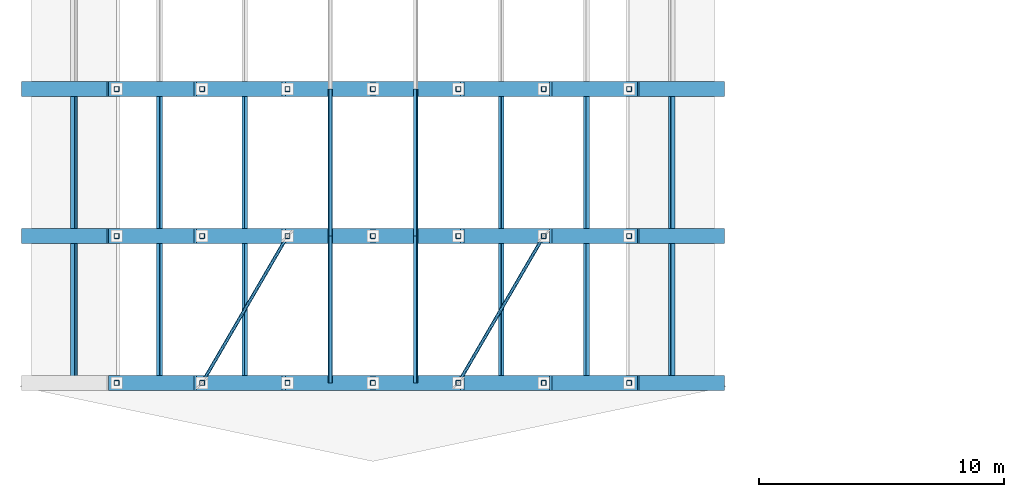
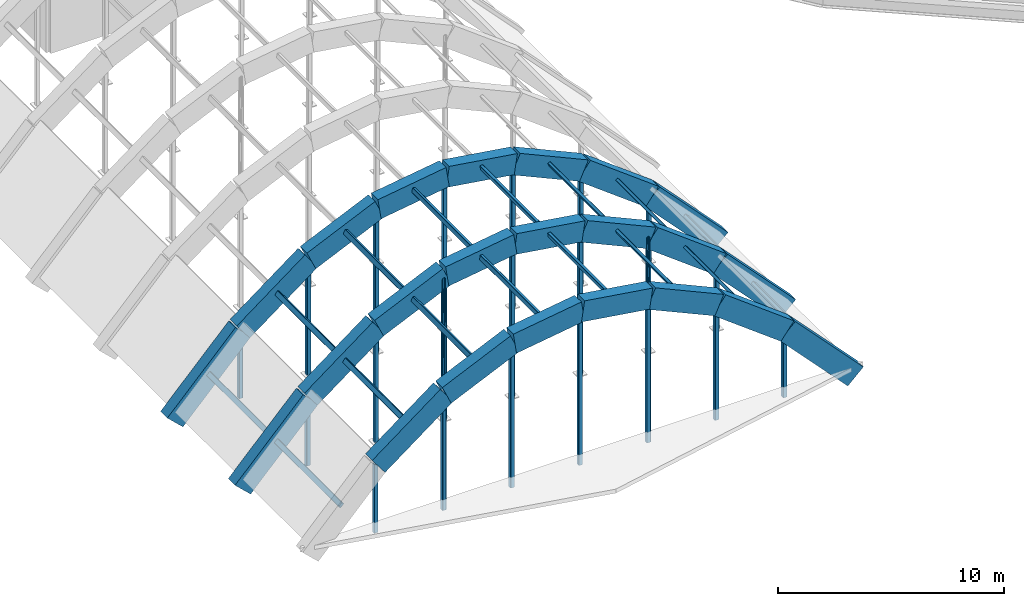
# One storey, part 2 of 88: 39 members, 23 beams.
"""IFC4 building model written with IfcOpenShell, lengths in metres."""

from ifc_helpers import new_model, si_unit, direction, frame, origin, origin_2d, place, context, subcontext, project, spatial, rectangle, hollow_rectangle, hollow_circle, extrude, material, material_profile, profile_set, type_object, element, save


model = new_model("IFC4")

# Units and contexts
model_context = context("Model", 3, precision=1e-05, world=origin(), true_north=direction((0.0, 1.0)))
body_context = subcontext(model_context, "Body", "Model", "MODEL_VIEW")
ifc_project = project(units=[si_unit("LENGTHUNIT", "METRE"), si_unit("AREAUNIT", "SQUARE_METRE"), si_unit("VOLUMEUNIT", "CUBIC_METRE"), si_unit("PLANEANGLEUNIT", "RADIAN"), si_unit("MASSUNIT", "GRAM", prefix="KILO")], contexts=[model_context])

# Site, building, storey
site_placement = place(None, origin())
site = spatial("IfcSite", under=ifc_project, at=site_placement, CompositionType="ELEMENT")
building_placement = place(site_placement, origin())
building = spatial("IfcBuilding", under=site, at=building_placement, Name="Vespera Passage Community Centre", CompositionType="ELEMENT")
storey_placement = place(building_placement, frame((0.0, 0.0, 16.5)))
storey = spatial("IfcBuildingStorey", under=building, at=storey_placement, Name="L04", CompositionType="ELEMENT", Elevation=16.5)

# Beams
ifc_material_1 = material(Name="Concrete f'c 45 MPa", Category="concrete")
ifc_material_profile_1 = material_profile(ifc_material_1, rectangle(XDim=0.60009765625, YDim=1.10009765625, at=origin_2d()), Name="RC600X1100")
ifc_profile_set_1 = profile_set([ifc_material_profile_1], Name="Concrete f'c 45 MPa")
beam_type = type_object("IfcBeamType", Name="BM-AR-600X1100", PredefinedType="USERDEFINED", material=ifc_profile_set_1)
beam_1_placement = place(storey_placement, frame((7.53759765625, 7.0, 3.125), z_axis=(0.798951709852, 0.0, 0.601395182325), x_axis=(0.0, 1.0, 0.0)))
element("IfcBeam", 1, at=beam_1_placement, inside=storey, type_object=beam_type, Name="Main Hall Barrel Vault Arch Rib AR1 Seg 2", ObjectType="ARCH RIB", PredefinedType="USERDEFINED", context=body_context, shape_type="SweptSolid", body=[
    extrude(rectangle(XDim=0.60009765625, YDim=1.10009765625, at=origin_2d()), origin(), (0.0, 0.0, 1.0), 4.36474609375),
])
beam_2_placement = place(storey_placement, frame((11.02490234375, 7.0, 5.75), z_axis=(0.911377547456, 0.0, 0.411571337672), x_axis=(0.0, 1.0, 0.0)))
element("IfcBeam", 2, at=beam_2_placement, inside=storey, type_object=beam_type, Name="Main Hall Barrel Vault Arch Rib AR1 Seg 3", ObjectType="ARCH RIB", PredefinedType="USERDEFINED", context=body_context, shape_type="SweptSolid", body=[
    extrude(rectangle(XDim=0.60009765625, YDim=1.10009765625, at=origin_2d()), origin(), (0.0, 0.0, 1.0), 3.82666015625),
])
for number, where, z_axis, x_axis, name in (
    (3, (14.512451171875, 7.0, 7.324951171875), (0.988852416544, 0.0, 0.148898953307), (0.0, 1.0, 0.0), "Main Hall Barrel Vault Arch Rib AR1 Seg 4"),
    (4, (18.0, 7.0, 7.85009765625), (0.988852416544, 0.0, -0.148898953307), (0.0, 1.0, 0.0), "Main Hall Barrel Vault Arch Rib AR1 Seg 5"),
):
    element("IfcBeam", number, at=place(storey_placement, frame(where, z_axis=z_axis, x_axis=x_axis)), inside=storey, type_object=beam_type, Name=name, ObjectType="ARCH RIB", PredefinedType="USERDEFINED", context=body_context, shape_type="SweptSolid", body=[
        extrude(rectangle(XDim=0.60009765625, YDim=1.10009765625, at=origin_2d()), origin(), (0.0, 0.0, 1.0), 3.52685546875),
    ])
beam_3_placement = place(storey_placement, frame((21.487548828125, 7.0, 7.324951171875), z_axis=(0.911377547456, 0.0, -0.411571337672), x_axis=(0.0, 1.0, 0.0)))
element("IfcBeam", 5, at=beam_3_placement, inside=storey, type_object=beam_type, Name="Main Hall Barrel Vault Arch Rib AR1 Seg 6", ObjectType="ARCH RIB", PredefinedType="USERDEFINED", context=body_context, shape_type="SweptSolid", body=[
    extrude(rectangle(XDim=0.60009765625, YDim=1.10009765625, at=origin_2d()), origin(), (0.0, 0.0, 1.0), 3.82666015625),
])
beam_4_placement = place(storey_placement, frame((24.97509765625, 7.0, 5.75), z_axis=(0.798951709852, 0.0, -0.601395182325), x_axis=(0.0, 1.0, 0.0)))
element("IfcBeam", 6, at=beam_4_placement, inside=storey, type_object=beam_type, Name="Main Hall Barrel Vault Arch Rib AR1 Seg 7", ObjectType="ARCH RIB", PredefinedType="USERDEFINED", context=body_context, shape_type="SweptSolid", body=[
    extrude(rectangle(XDim=0.60009765625, YDim=1.10009765625, at=origin_2d()), origin(), (0.0, 0.0, 1.0), 4.36474609375),
])
for number, where, z_axis, x_axis, name in (
    (7, (28.46240234375, 7.0, 3.125), (0.688360568967, 0.0, -0.725368683561), (0.0, 1.0, 0.0), "Main Hall Barrel Vault Arch Rib AR1 Seg 8"),
    (8, (4.050048828125, 13.0, -0.550048828125), (0.688360568967, 0.0, 0.725368683561), (0.0, 1.0, 0.0), "Main Hall Barrel Vault Arch Rib AR2 Seg 1"),
):
    element("IfcBeam", number, at=place(storey_placement, frame(where, z_axis=z_axis, x_axis=x_axis)), inside=storey, type_object=beam_type, Name=name, ObjectType="ARCH RIB", PredefinedType="USERDEFINED", context=body_context, shape_type="SweptSolid", body=[
        extrude(rectangle(XDim=0.60009765625, YDim=1.10009765625, at=origin_2d()), origin(), (0.0, 0.0, 1.0), 5.06640625),
    ])
beam_5_placement = place(storey_placement, frame((7.53759765625, 13.0, 3.125), z_axis=(0.798951709852, 0.0, 0.601395182325), x_axis=(0.0, 1.0, 0.0)))
element("IfcBeam", 9, at=beam_5_placement, inside=storey, type_object=beam_type, Name="Main Hall Barrel Vault Arch Rib AR2 Seg 2", ObjectType="ARCH RIB", PredefinedType="USERDEFINED", context=body_context, shape_type="SweptSolid", body=[
    extrude(rectangle(XDim=0.60009765625, YDim=1.10009765625, at=origin_2d()), origin(), (0.0, 0.0, 1.0), 4.36474609375),
])
beam_6_placement = place(storey_placement, frame((11.02490234375, 13.0, 5.75), z_axis=(0.911377547456, 0.0, 0.411571337672), x_axis=(0.0, 1.0, 0.0)))
element("IfcBeam", 10, at=beam_6_placement, inside=storey, type_object=beam_type, Name="Main Hall Barrel Vault Arch Rib AR2 Seg 3", ObjectType="ARCH RIB", PredefinedType="USERDEFINED", context=body_context, shape_type="SweptSolid", body=[
    extrude(rectangle(XDim=0.60009765625, YDim=1.10009765625, at=origin_2d()), origin(), (0.0, 0.0, 1.0), 3.82666015625),
])
for number, where, z_axis, x_axis, name in (
    (11, (14.512451171875, 13.0, 7.324951171875), (0.988852416544, 0.0, 0.148898953307), (0.0, 1.0, 0.0), "Main Hall Barrel Vault Arch Rib AR2 Seg 4"),
    (12, (18.0, 13.0, 7.85009765625), (0.988852416544, 0.0, -0.148898953307), (0.0, 1.0, 0.0), "Main Hall Barrel Vault Arch Rib AR2 Seg 5"),
):
    element("IfcBeam", number, at=place(storey_placement, frame(where, z_axis=z_axis, x_axis=x_axis)), inside=storey, type_object=beam_type, Name=name, ObjectType="ARCH RIB", PredefinedType="USERDEFINED", context=body_context, shape_type="SweptSolid", body=[
        extrude(rectangle(XDim=0.60009765625, YDim=1.10009765625, at=origin_2d()), origin(), (0.0, 0.0, 1.0), 3.52685546875),
    ])
beam_7_placement = place(storey_placement, frame((21.487548828125, 13.0, 7.324951171875), z_axis=(0.911377547456, 0.0, -0.411571337672), x_axis=(0.0, 1.0, 0.0)))
element("IfcBeam", 13, at=beam_7_placement, inside=storey, type_object=beam_type, Name="Main Hall Barrel Vault Arch Rib AR2 Seg 6", ObjectType="ARCH RIB", PredefinedType="USERDEFINED", context=body_context, shape_type="SweptSolid", body=[
    extrude(rectangle(XDim=0.60009765625, YDim=1.10009765625, at=origin_2d()), origin(), (0.0, 0.0, 1.0), 3.82666015625),
])
beam_8_placement = place(storey_placement, frame((24.97509765625, 13.0, 5.75), z_axis=(0.798951709852, 0.0, -0.601395182325), x_axis=(0.0, 1.0, 0.0)))
element("IfcBeam", 14, at=beam_8_placement, inside=storey, type_object=beam_type, Name="Main Hall Barrel Vault Arch Rib AR2 Seg 7", ObjectType="ARCH RIB", PredefinedType="USERDEFINED", context=body_context, shape_type="SweptSolid", body=[
    extrude(rectangle(XDim=0.60009765625, YDim=1.10009765625, at=origin_2d()), origin(), (0.0, 0.0, 1.0), 4.36474609375),
])
for number, where, z_axis, x_axis, name in (
    (15, (28.46240234375, 13.0, 3.125), (0.688360568967, 0.0, -0.725368683561), (0.0, 1.0, 0.0), "Main Hall Barrel Vault Arch Rib AR2 Seg 8"),
    (16, (4.050048828125, 19.0, -0.550048828125), (0.688360568967, 0.0, 0.725368683561), (0.0, 1.0, 0.0), "Main Hall Barrel Vault Arch Rib AR3 Seg 1"),
):
    element("IfcBeam", number, at=place(storey_placement, frame(where, z_axis=z_axis, x_axis=x_axis)), inside=storey, type_object=beam_type, Name=name, ObjectType="ARCH RIB", PredefinedType="USERDEFINED", context=body_context, shape_type="SweptSolid", body=[
        extrude(rectangle(XDim=0.60009765625, YDim=1.10009765625, at=origin_2d()), origin(), (0.0, 0.0, 1.0), 5.06640625),
    ])
beam_9_placement = place(storey_placement, frame((7.53759765625, 19.0, 3.125), z_axis=(0.798951709852, 0.0, 0.601395182325), x_axis=(0.0, 1.0, 0.0)))
element("IfcBeam", 17, at=beam_9_placement, inside=storey, type_object=beam_type, Name="Main Hall Barrel Vault Arch Rib AR3 Seg 2", ObjectType="ARCH RIB", PredefinedType="USERDEFINED", context=body_context, shape_type="SweptSolid", body=[
    extrude(rectangle(XDim=0.60009765625, YDim=1.10009765625, at=origin_2d()), origin(), (0.0, 0.0, 1.0), 4.36474609375),
])
beam_10_placement = place(storey_placement, frame((11.02490234375, 19.0, 5.75), z_axis=(0.911377547456, 0.0, 0.411571337672), x_axis=(0.0, 1.0, 0.0)))
element("IfcBeam", 18, at=beam_10_placement, inside=storey, type_object=beam_type, Name="Main Hall Barrel Vault Arch Rib AR3 Seg 3", ObjectType="ARCH RIB", PredefinedType="USERDEFINED", context=body_context, shape_type="SweptSolid", body=[
    extrude(rectangle(XDim=0.60009765625, YDim=1.10009765625, at=origin_2d()), origin(), (0.0, 0.0, 1.0), 3.82666015625),
])
for number, where, z_axis, x_axis, name in (
    (19, (14.512451171875, 19.0, 7.324951171875), (0.988852416544, 0.0, 0.148898953307), (0.0, 1.0, 0.0), "Main Hall Barrel Vault Arch Rib AR3 Seg 4"),
    (20, (18.0, 19.0, 7.85009765625), (0.988852416544, 0.0, -0.148898953307), (0.0, 1.0, 0.0), "Main Hall Barrel Vault Arch Rib AR3 Seg 5"),
):
    element("IfcBeam", number, at=place(storey_placement, frame(where, z_axis=z_axis, x_axis=x_axis)), inside=storey, type_object=beam_type, Name=name, ObjectType="ARCH RIB", PredefinedType="USERDEFINED", context=body_context, shape_type="SweptSolid", body=[
        extrude(rectangle(XDim=0.60009765625, YDim=1.10009765625, at=origin_2d()), origin(), (0.0, 0.0, 1.0), 3.52685546875),
    ])
beam_11_placement = place(storey_placement, frame((21.487548828125, 19.0, 7.324951171875), z_axis=(0.911377547456, 0.0, -0.411571337672), x_axis=(0.0, 1.0, 0.0)))
element("IfcBeam", 21, at=beam_11_placement, inside=storey, type_object=beam_type, Name="Main Hall Barrel Vault Arch Rib AR3 Seg 6", ObjectType="ARCH RIB", PredefinedType="USERDEFINED", context=body_context, shape_type="SweptSolid", body=[
    extrude(rectangle(XDim=0.60009765625, YDim=1.10009765625, at=origin_2d()), origin(), (0.0, 0.0, 1.0), 3.82666015625),
])
beam_12_placement = place(storey_placement, frame((24.97509765625, 19.0, 5.75), z_axis=(0.798951709852, 0.0, -0.601395182325), x_axis=(0.0, 1.0, 0.0)))
element("IfcBeam", 22, at=beam_12_placement, inside=storey, type_object=beam_type, Name="Main Hall Barrel Vault Arch Rib AR3 Seg 7", ObjectType="ARCH RIB", PredefinedType="USERDEFINED", context=body_context, shape_type="SweptSolid", body=[
    extrude(rectangle(XDim=0.60009765625, YDim=1.10009765625, at=origin_2d()), origin(), (0.0, 0.0, 1.0), 4.36474609375),
])
beam_13_placement = place(storey_placement, frame((28.46240234375, 19.0, 3.125), z_axis=(0.688360568967, 0.0, -0.725368683561), x_axis=(0.0, 1.0, 0.0)))
element("IfcBeam", 23, at=beam_13_placement, inside=storey, type_object=beam_type, Name="Main Hall Barrel Vault Arch Rib AR3 Seg 8", ObjectType="ARCH RIB", PredefinedType="USERDEFINED", context=body_context, shape_type="SweptSolid", body=[
    extrude(rectangle(XDim=0.60009765625, YDim=1.10009765625, at=origin_2d()), origin(), (0.0, 0.0, 1.0), 5.06640625),
])

# Members
ifc_material_2 = material(Name="Steel ASTM A500 Grade C", Category="steel")
ifc_material_profile_2 = material_profile(ifc_material_2, hollow_rectangle(XDim=0.15234375, YDim=0.25390625, WallThickness=0.01171875, InnerFilletRadius=0.01171875, OuterFilletRadius=0.023681640625, at=origin_2d()), Name="HSS254X152X12.7")
ifc_profile_set_2 = profile_set([ifc_material_profile_2], Name="Steel ASTM A500 Grade C")
member_type_1 = type_object("IfcMemberType", Name="MB-PR-HSS254X152", PredefinedType="PURLIN", material=ifc_profile_set_2)
for number, where, z_axis, x_axis, name in (
    (24, (5.793701171875, 7.0, 1.46044921875), (0.0, 1.0, 0.0), (-0.688354575694, 0.0, 0.725374371012), "Main Hall Vault Purlin B1.1"),
    (25, (9.28125, 7.0, 4.610595703125), (0.0, 1.0, 0.0), (-0.798971502388, 0.0, 0.6013688871), "Main Hall Vault Purlin B1.2"),
    (26, (12.768798828125, 7.0, 6.71044921875), (0.0, 1.0, 0.0), (-0.911367361763, 0.0, 0.411593891978), "Main Hall Vault Purlin B1.3"),
    (27, (16.25634765625, 7.0, 7.760498046875), (0.0, 1.0, 0.0), (-0.988857937462, 0.0, 0.148862283734), "Main Hall Vault Purlin B1.4"),
    (28, (19.74365234375, 7.0, 7.760498046875), (0.0, 1.0, 0.0), (-0.988857937462, 0.0, -0.148862283734), "Main Hall Vault Purlin B1.5"),
    (29, (23.231201171875, 7.0, 6.71044921875), (0.0, 1.0, 0.0), (-0.911367361763, 0.0, -0.411593891978), "Main Hall Vault Purlin B1.6"),
    (30, (26.71875, 7.0, 4.610595703125), (0.0, 1.0, 0.0), (-0.798971502388, 0.0, -0.6013688871), "Main Hall Vault Purlin B1.7"),
    (31, (30.206298828125, 7.0, 1.46044921875), (0.0, 1.0, 0.0), (-0.688354575694, 0.0, -0.725374371012), "Main Hall Vault Purlin B1.8"),
    (32, (5.793701171875, 13.0, 1.46044921875), (0.0, 1.0, 0.0), (-0.688354575694, 0.0, 0.725374371012), "Main Hall Vault Purlin B2.1"),
    (33, (9.28125, 13.0, 4.610595703125), (0.0, 1.0, 0.0), (-0.798971502388, 0.0, 0.6013688871), "Main Hall Vault Purlin B2.2"),
    (34, (12.768798828125, 13.0, 6.71044921875), (0.0, 1.0, 0.0), (-0.911367361763, 0.0, 0.411593891978), "Main Hall Vault Purlin B2.3"),
    (35, (16.25634765625, 13.0, 7.760498046875), (0.0, 1.0, 0.0), (-0.988857937462, 0.0, 0.148862283734), "Main Hall Vault Purlin B2.4"),
    (36, (19.74365234375, 13.0, 7.760498046875), (0.0, 1.0, 0.0), (-0.988857937462, 0.0, -0.148862283734), "Main Hall Vault Purlin B2.5"),
    (37, (23.231201171875, 13.0, 6.71044921875), (0.0, 1.0, 0.0), (-0.911367361763, 0.0, -0.411593891978), "Main Hall Vault Purlin B2.6"),
    (38, (26.71875, 13.0, 4.610595703125), (0.0, 1.0, 0.0), (-0.798971502388, 0.0, -0.6013688871), "Main Hall Vault Purlin B2.7"),
    (39, (30.206298828125, 13.0, 1.46044921875), (0.0, 1.0, 0.0), (-0.688354575694, 0.0, -0.725374371012), "Main Hall Vault Purlin B2.8"),
):
    element("IfcMember", number, at=place(storey_placement, frame(where, z_axis=z_axis, x_axis=x_axis)), inside=storey, type_object=member_type_1, Name=name, PredefinedType="PURLIN", context=body_context, shape_type="SweptSolid", body=[
        extrude(hollow_rectangle(XDim=0.15234375, YDim=0.25390625, WallThickness=0.01171875, InnerFilletRadius=0.01171875, OuterFilletRadius=0.023681640625, at=origin_2d()), origin(), (0.0, 0.0, 1.0), 6.0),
    ])
ifc_material_3 = material(Name="Steel ASTM A500 Grade C", Category="steel")
ifc_material_profile_3 = material_profile(ifc_material_3, hollow_rectangle(XDim=0.203125, YDim=0.203125, WallThickness=0.01171875, InnerFilletRadius=0.01171875, OuterFilletRadius=0.023681640625, at=origin_2d()), Name="HSS203X203X12.7")
ifc_profile_set_3 = profile_set([ifc_material_profile_3], Name="Steel ASTM A500 Grade C")
member_type_2 = type_object("IfcMemberType", Name="SS-203", PredefinedType="STRUT", material=ifc_profile_set_3)
member_1_placement = place(storey_placement, frame((7.53759765625, 7.0, -0.58544921875), z_axis=(0.0, 0.0, 1.0), x_axis=(1.0, 0.0, 0.0)))
element("IfcMember", 40, at=member_1_placement, inside=storey, type_object=member_type_2, Name="Main Hall Arch Rib AR1 Bowstring Post 1", PredefinedType="STRUT", context=body_context, shape_type="SweptSolid", body=[
    extrude(hollow_rectangle(XDim=0.203125, YDim=0.203125, WallThickness=0.01171875, InnerFilletRadius=0.01171875, OuterFilletRadius=0.023681640625, at=origin_2d()), origin(), (0.0, 0.0, 1.0), 3.71044921875),
])
member_2_placement = place(storey_placement, frame((11.02490234375, 7.0, -0.58544921875), z_axis=(0.0, 0.0, 1.0), x_axis=(1.0, 0.0, 0.0)))
element("IfcMember", 41, at=member_2_placement, inside=storey, type_object=member_type_2, Name="Main Hall Arch Rib AR1 Bowstring Post 2", PredefinedType="STRUT", context=body_context, shape_type="SweptSolid", body=[
    extrude(hollow_rectangle(XDim=0.203125, YDim=0.203125, WallThickness=0.01171875, InnerFilletRadius=0.01171875, OuterFilletRadius=0.023681640625, at=origin_2d()), origin(), (0.0, 0.0, 1.0), 6.33544921875),
])
member_3_placement = place(storey_placement, frame((14.512451171875, 7.0, -0.58544921875), z_axis=(0.0, 0.0, 1.0), x_axis=(1.0, 0.0, 0.0)))
element("IfcMember", 42, at=member_3_placement, inside=storey, type_object=member_type_2, Name="Main Hall Arch Rib AR1 Bowstring Post 3", PredefinedType="STRUT", context=body_context, shape_type="SweptSolid", body=[
    extrude(hollow_rectangle(XDim=0.203125, YDim=0.203125, WallThickness=0.01171875, InnerFilletRadius=0.01171875, OuterFilletRadius=0.023681640625, at=origin_2d()), origin(), (0.0, 0.0, 1.0), 7.910400390625),
])
member_4_placement = place(storey_placement, frame((18.0, 7.0, -0.58544921875), z_axis=(0.0, 0.0, 1.0), x_axis=(1.0, 0.0, 0.0)))
element("IfcMember", 43, at=member_4_placement, inside=storey, type_object=member_type_2, Name="Main Hall Arch Rib AR1 Bowstring Post 4", PredefinedType="STRUT", context=body_context, shape_type="SweptSolid", body=[
    extrude(hollow_rectangle(XDim=0.203125, YDim=0.203125, WallThickness=0.01171875, InnerFilletRadius=0.01171875, OuterFilletRadius=0.023681640625, at=origin_2d()), origin(), (0.0, 0.0, 1.0), 8.435546875),
])
member_5_placement = place(storey_placement, frame((21.487548828125, 7.0, -0.58544921875), z_axis=(0.0, 0.0, 1.0), x_axis=(1.0, 0.0, 0.0)))
element("IfcMember", 44, at=member_5_placement, inside=storey, type_object=member_type_2, Name="Main Hall Arch Rib AR1 Bowstring Post 5", PredefinedType="STRUT", context=body_context, shape_type="SweptSolid", body=[
    extrude(hollow_rectangle(XDim=0.203125, YDim=0.203125, WallThickness=0.01171875, InnerFilletRadius=0.01171875, OuterFilletRadius=0.023681640625, at=origin_2d()), origin(), (0.0, 0.0, 1.0), 7.910400390625),
])
member_6_placement = place(storey_placement, frame((24.97509765625, 7.0, -0.58544921875), z_axis=(0.0, 0.0, 1.0), x_axis=(1.0, 0.0, 0.0)))
element("IfcMember", 45, at=member_6_placement, inside=storey, type_object=member_type_2, Name="Main Hall Arch Rib AR1 Bowstring Post 6", PredefinedType="STRUT", context=body_context, shape_type="SweptSolid", body=[
    extrude(hollow_rectangle(XDim=0.203125, YDim=0.203125, WallThickness=0.01171875, InnerFilletRadius=0.01171875, OuterFilletRadius=0.023681640625, at=origin_2d()), origin(), (0.0, 0.0, 1.0), 6.33544921875),
])
for number, where, z_axis, x_axis, name in (
    (46, (28.46240234375, 7.0, -0.58544921875), (0.0, 0.0, 1.0), (1.0, 0.0, 0.0), "Main Hall Arch Rib AR1 Bowstring Post 7"),
    (47, (7.53759765625, 13.0, -0.58544921875), (0.0, 0.0, 1.0), (1.0, 0.0, 0.0), "Main Hall Arch Rib AR2 Bowstring Post 1"),
):
    element("IfcMember", number, at=place(storey_placement, frame(where, z_axis=z_axis, x_axis=x_axis)), inside=storey, type_object=member_type_2, Name=name, PredefinedType="STRUT", context=body_context, shape_type="SweptSolid", body=[
        extrude(hollow_rectangle(XDim=0.203125, YDim=0.203125, WallThickness=0.01171875, InnerFilletRadius=0.01171875, OuterFilletRadius=0.023681640625, at=origin_2d()), origin(), (0.0, 0.0, 1.0), 3.71044921875),
    ])
member_7_placement = place(storey_placement, frame((11.02490234375, 13.0, -0.58544921875), z_axis=(0.0, 0.0, 1.0), x_axis=(1.0, 0.0, 0.0)))
element("IfcMember", 48, at=member_7_placement, inside=storey, type_object=member_type_2, Name="Main Hall Arch Rib AR2 Bowstring Post 2", PredefinedType="STRUT", context=body_context, shape_type="SweptSolid", body=[
    extrude(hollow_rectangle(XDim=0.203125, YDim=0.203125, WallThickness=0.01171875, InnerFilletRadius=0.01171875, OuterFilletRadius=0.023681640625, at=origin_2d()), origin(), (0.0, 0.0, 1.0), 6.33544921875),
])
member_8_placement = place(storey_placement, frame((14.512451171875, 13.0, -0.58544921875), z_axis=(0.0, 0.0, 1.0), x_axis=(1.0, 0.0, 0.0)))
element("IfcMember", 49, at=member_8_placement, inside=storey, type_object=member_type_2, Name="Main Hall Arch Rib AR2 Bowstring Post 3", PredefinedType="STRUT", context=body_context, shape_type="SweptSolid", body=[
    extrude(hollow_rectangle(XDim=0.203125, YDim=0.203125, WallThickness=0.01171875, InnerFilletRadius=0.01171875, OuterFilletRadius=0.023681640625, at=origin_2d()), origin(), (0.0, 0.0, 1.0), 7.910400390625),
])
member_9_placement = place(storey_placement, frame((18.0, 13.0, -0.58544921875), z_axis=(0.0, 0.0, 1.0), x_axis=(1.0, 0.0, 0.0)))
element("IfcMember", 50, at=member_9_placement, inside=storey, type_object=member_type_2, Name="Main Hall Arch Rib AR2 Bowstring Post 4", PredefinedType="STRUT", context=body_context, shape_type="SweptSolid", body=[
    extrude(hollow_rectangle(XDim=0.203125, YDim=0.203125, WallThickness=0.01171875, InnerFilletRadius=0.01171875, OuterFilletRadius=0.023681640625, at=origin_2d()), origin(), (0.0, 0.0, 1.0), 8.435546875),
])
member_10_placement = place(storey_placement, frame((21.487548828125, 13.0, -0.58544921875), z_axis=(0.0, 0.0, 1.0), x_axis=(1.0, 0.0, 0.0)))
element("IfcMember", 51, at=member_10_placement, inside=storey, type_object=member_type_2, Name="Main Hall Arch Rib AR2 Bowstring Post 5", PredefinedType="STRUT", context=body_context, shape_type="SweptSolid", body=[
    extrude(hollow_rectangle(XDim=0.203125, YDim=0.203125, WallThickness=0.01171875, InnerFilletRadius=0.01171875, OuterFilletRadius=0.023681640625, at=origin_2d()), origin(), (0.0, 0.0, 1.0), 7.910400390625),
])
member_11_placement = place(storey_placement, frame((24.97509765625, 13.0, -0.58544921875), z_axis=(0.0, 0.0, 1.0), x_axis=(1.0, 0.0, 0.0)))
element("IfcMember", 52, at=member_11_placement, inside=storey, type_object=member_type_2, Name="Main Hall Arch Rib AR2 Bowstring Post 6", PredefinedType="STRUT", context=body_context, shape_type="SweptSolid", body=[
    extrude(hollow_rectangle(XDim=0.203125, YDim=0.203125, WallThickness=0.01171875, InnerFilletRadius=0.01171875, OuterFilletRadius=0.023681640625, at=origin_2d()), origin(), (0.0, 0.0, 1.0), 6.33544921875),
])
for number, where, z_axis, x_axis, name in (
    (53, (28.46240234375, 13.0, -0.58544921875), (0.0, 0.0, 1.0), (1.0, 0.0, 0.0), "Main Hall Arch Rib AR2 Bowstring Post 7"),
    (54, (7.53759765625, 19.0, -0.58544921875), (0.0, 0.0, 1.0), (1.0, 0.0, 0.0), "Main Hall Arch Rib AR3 Bowstring Post 1"),
):
    element("IfcMember", number, at=place(storey_placement, frame(where, z_axis=z_axis, x_axis=x_axis)), inside=storey, type_object=member_type_2, Name=name, PredefinedType="STRUT", context=body_context, shape_type="SweptSolid", body=[
        extrude(hollow_rectangle(XDim=0.203125, YDim=0.203125, WallThickness=0.01171875, InnerFilletRadius=0.01171875, OuterFilletRadius=0.023681640625, at=origin_2d()), origin(), (0.0, 0.0, 1.0), 3.71044921875),
    ])
member_12_placement = place(storey_placement, frame((11.02490234375, 19.0, -0.58544921875), z_axis=(0.0, 0.0, 1.0), x_axis=(1.0, 0.0, 0.0)))
element("IfcMember", 55, at=member_12_placement, inside=storey, type_object=member_type_2, Name="Main Hall Arch Rib AR3 Bowstring Post 2", PredefinedType="STRUT", context=body_context, shape_type="SweptSolid", body=[
    extrude(hollow_rectangle(XDim=0.203125, YDim=0.203125, WallThickness=0.01171875, InnerFilletRadius=0.01171875, OuterFilletRadius=0.023681640625, at=origin_2d()), origin(), (0.0, 0.0, 1.0), 6.33544921875),
])
member_13_placement = place(storey_placement, frame((14.512451171875, 19.0, -0.58544921875), z_axis=(0.0, 0.0, 1.0), x_axis=(1.0, 0.0, 0.0)))
element("IfcMember", 56, at=member_13_placement, inside=storey, type_object=member_type_2, Name="Main Hall Arch Rib AR3 Bowstring Post 3", PredefinedType="STRUT", context=body_context, shape_type="SweptSolid", body=[
    extrude(hollow_rectangle(XDim=0.203125, YDim=0.203125, WallThickness=0.01171875, InnerFilletRadius=0.01171875, OuterFilletRadius=0.023681640625, at=origin_2d()), origin(), (0.0, 0.0, 1.0), 7.910400390625),
])
member_14_placement = place(storey_placement, frame((18.0, 19.0, -0.58544921875), z_axis=(0.0, 0.0, 1.0), x_axis=(1.0, 0.0, 0.0)))
element("IfcMember", 57, at=member_14_placement, inside=storey, type_object=member_type_2, Name="Main Hall Arch Rib AR3 Bowstring Post 4", PredefinedType="STRUT", context=body_context, shape_type="SweptSolid", body=[
    extrude(hollow_rectangle(XDim=0.203125, YDim=0.203125, WallThickness=0.01171875, InnerFilletRadius=0.01171875, OuterFilletRadius=0.023681640625, at=origin_2d()), origin(), (0.0, 0.0, 1.0), 8.435546875),
])
member_15_placement = place(storey_placement, frame((21.487548828125, 19.0, -0.58544921875), z_axis=(0.0, 0.0, 1.0), x_axis=(1.0, 0.0, 0.0)))
element("IfcMember", 58, at=member_15_placement, inside=storey, type_object=member_type_2, Name="Main Hall Arch Rib AR3 Bowstring Post 5", PredefinedType="STRUT", context=body_context, shape_type="SweptSolid", body=[
    extrude(hollow_rectangle(XDim=0.203125, YDim=0.203125, WallThickness=0.01171875, InnerFilletRadius=0.01171875, OuterFilletRadius=0.023681640625, at=origin_2d()), origin(), (0.0, 0.0, 1.0), 7.910400390625),
])
member_16_placement = place(storey_placement, frame((24.97509765625, 19.0, -0.58544921875), z_axis=(0.0, 0.0, 1.0), x_axis=(1.0, 0.0, 0.0)))
element("IfcMember", 59, at=member_16_placement, inside=storey, type_object=member_type_2, Name="Main Hall Arch Rib AR3 Bowstring Post 6", PredefinedType="STRUT", context=body_context, shape_type="SweptSolid", body=[
    extrude(hollow_rectangle(XDim=0.203125, YDim=0.203125, WallThickness=0.01171875, InnerFilletRadius=0.01171875, OuterFilletRadius=0.023681640625, at=origin_2d()), origin(), (0.0, 0.0, 1.0), 6.33544921875),
])
member_17_placement = place(storey_placement, frame((28.46240234375, 19.0, -0.58544921875), z_axis=(0.0, 0.0, 1.0), x_axis=(1.0, 0.0, 0.0)))
element("IfcMember", 60, at=member_17_placement, inside=storey, type_object=member_type_2, Name="Main Hall Arch Rib AR3 Bowstring Post 7", PredefinedType="STRUT", context=body_context, shape_type="SweptSolid", body=[
    extrude(hollow_rectangle(XDim=0.203125, YDim=0.203125, WallThickness=0.01171875, InnerFilletRadius=0.01171875, OuterFilletRadius=0.023681640625, at=origin_2d()), origin(), (0.0, 0.0, 1.0), 3.71044921875),
])
ifc_material_4 = material(Name="Steel ASTM A500 Grade C", Category="steel")
ifc_material_profile_4 = material_profile(ifc_material_4, hollow_circle(Radius=0.070556640625, WallThickness=0.0087890625, at=origin_2d()), Name="CHS141X9.5")
ifc_profile_set_4 = profile_set([ifc_material_profile_4], Name="Steel ASTM A500 Grade C")
member_type_3 = type_object("IfcMemberType", Name="VB-141", PredefinedType="BRACE", material=ifc_profile_set_4)
for number, where, z_axis, x_axis, name in (
    (61, (11.02490234375, 7.0, 5.75), (0.490070519088, 0.843120271411, 0.221312209915), (-0.86455872774, 0.502531796296, 0.0), "Vault Wind Brace B1.3"),
    (62, (21.487548828125, 7.0, 7.324951171875), (0.490070519088, 0.843120271411, -0.221312209915), (-0.86455872774, 0.502531796296, 0.0), "Vault Wind Brace B1.6"),
):
    element("IfcMember", number, at=place(storey_placement, frame(where, z_axis=z_axis, x_axis=x_axis)), inside=storey, type_object=member_type_3, Name=name, PredefinedType="BRACE", context=body_context, shape_type="SweptSolid", body=[
        extrude(hollow_circle(Radius=0.070556640625, WallThickness=0.0087890625, at=origin_2d()), origin(), (0.0, 0.0, 1.0), 7.116455078125),
    ])

save(model, "model.ifc")
